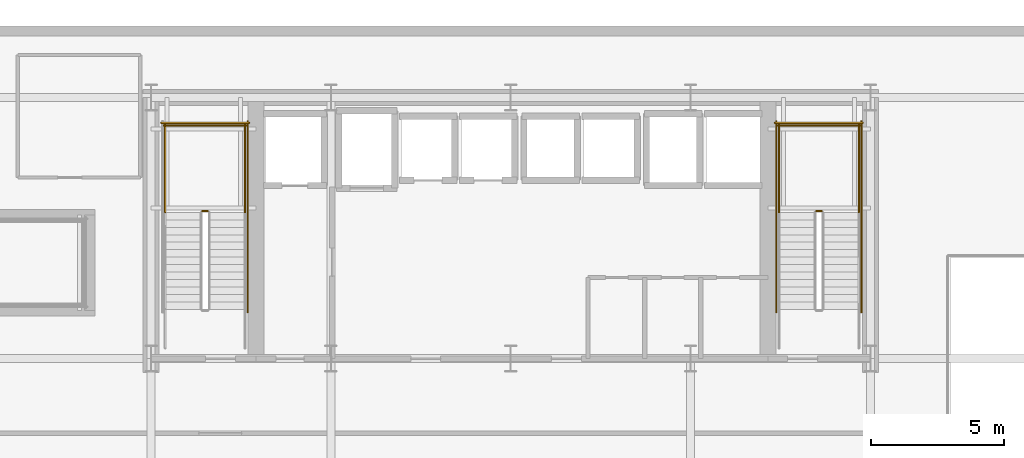
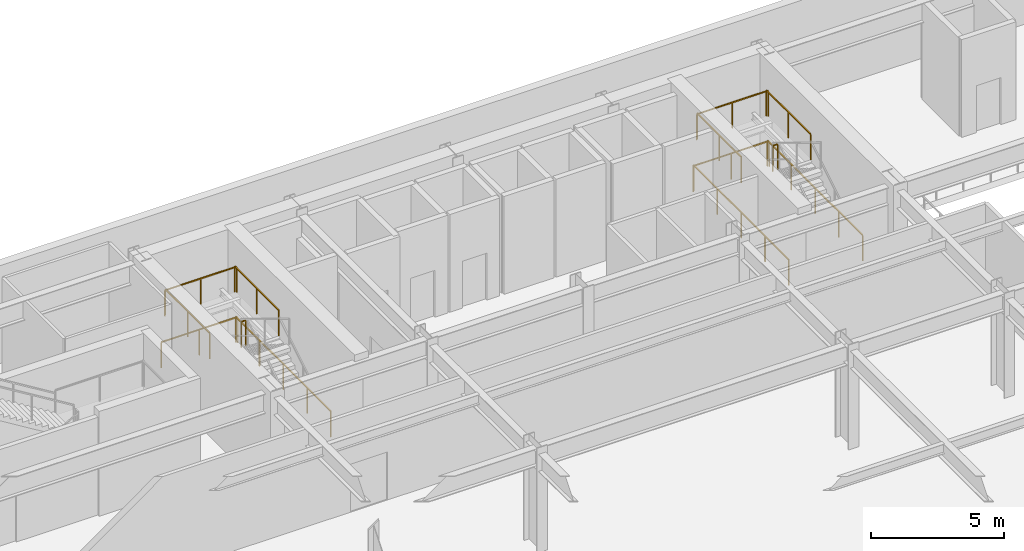
# One storey, part 26 of 30: 13 railings.
"""IFC4 building model written with IfcOpenShell, lengths in metres."""

from ifc_helpers import new_model, si_unit, direction, frame, origin, origin_2d, place, context, subcontext, project, spatial, rectangle, extrude, material, type_object, element, save


model = new_model("IFC4")

# Units and contexts
model_context = context("Model", 3, precision=1e-05, world=origin(), true_north=direction((0.0, 1.0)))
body_context = subcontext(model_context, "Body", "Model", "MODEL_VIEW")
ifc_project = project(units=[si_unit("LENGTHUNIT", "METRE"), si_unit("AREAUNIT", "SQUARE_METRE"), si_unit("VOLUMEUNIT", "CUBIC_METRE"), si_unit("PLANEANGLEUNIT", "RADIAN"), si_unit("MASSUNIT", "GRAM", prefix="KILO")], contexts=[model_context])

# Site, building, storey
site_placement = place(None, origin())
site = spatial("IfcSite", under=ifc_project, at=site_placement, CompositionType="ELEMENT")
building_placement = place(site_placement, origin())
building = spatial("IfcBuilding", under=site, at=building_placement, Name="Haevon Station Towers", CompositionType="ELEMENT")
storey_placement = place(building_placement, frame((0.0, 0.0, 15.60009765625)))
storey = spatial("IfcBuildingStorey", under=building, at=storey_placement, Name="L03", CompositionType="ELEMENT", Elevation=15.60009765625)

# Railings
ifc_material = material(Name="Steel S355", Category="steel")
railing_type = type_object("IfcRailingType", Name="GRD-STR1200", PredefinedType="GUARDRAIL", material=ifc_material)
railing_1_placement = place(storey_placement, frame((26.1298828125, 43.739990234375, 2.39990234375)))
element("IfcRailing", 1, at=railing_1_placement, inside=storey, type_object=railing_type, Name="L03 ST1 Stair Guard 2", PredefinedType="GUARDRAIL", context=body_context, shape_type="SweptSolid", body=[
    extrude(rectangle(XDim=0.048095703125, YDim=0.048095703125, at=origin_2d()), frame((0.0, 0.0, 1.17578125), z_axis=(-1.0, 0.0, 0.0), x_axis=(0.0, -1.0, 0.0)), (0.0, 0.0, 1.0), 0.199951171875),
    extrude(rectangle(XDim=0.0419921875, YDim=0.0419921875, at=origin_2d()), origin(), (0.0, 0.0, 1.0), 1.15185546875),
    extrude(rectangle(XDim=0.0419921875, YDim=0.0419921875, at=origin_2d()), frame((-0.199951171875, 0.0, 0.0)), (0.0, 0.0, 1.0), 1.15185546875),
])
for number, where, name in (
    (2, (27.530029296875, 43.68994140625, 2.39990234375), "L03 ST1 Stair Guard 3"),
    (3, (24.530029296875, 43.68994140625, 2.39990234375), "L03 ST1 Stair Guard 4"),
):
    element("IfcRailing", number, at=place(storey_placement, frame(where)), inside=storey, type_object=railing_type, Name=name, PredefinedType="GUARDRAIL", context=body_context, shape_type="SweptSolid", body=[
        extrude(rectangle(XDim=0.048095703125, YDim=0.048095703125, at=origin_2d()), frame((0.0, 0.0, 1.17578125), z_axis=(0.0, 1.0, 0.0), x_axis=(-1.0, 0.0, 0.0)), (0.0, 0.0, 1.0), 3.31005859375),
        extrude(rectangle(XDim=0.0419921875, YDim=0.0419921875, at=origin_2d()), origin(), (0.0, 0.0, 1.0), 1.15185546875),
        extrude(rectangle(XDim=0.0419921875, YDim=0.0419921875, at=origin_2d()), frame((0.0, 1.655029296875, 0.0)), (0.0, 0.0, 1.0), 1.15185546875),
        extrude(rectangle(XDim=0.0419921875, YDim=0.0419921875, at=origin_2d()), frame((0.0, 3.31005859375, 0.0)), (0.0, 0.0, 1.0), 1.15185546875),
    ])
railing_2_placement = place(storey_placement, frame((27.580078125, 46.949951171875, 2.39990234375)))
element("IfcRailing", 4, at=railing_2_placement, inside=storey, type_object=railing_type, Name="L03 ST1 Stair Guard 5", PredefinedType="GUARDRAIL", context=body_context, shape_type="SweptSolid", body=[
    extrude(rectangle(XDim=0.048095703125, YDim=0.048095703125, at=origin_2d()), frame((0.0, 0.0, 1.17578125), z_axis=(-1.0, 0.0, 0.0), x_axis=(0.0, -1.0, 0.0)), (0.0, 0.0, 1.0), 3.10009765625),
    extrude(rectangle(XDim=0.0419921875, YDim=0.0419921875, at=origin_2d()), origin(), (0.0, 0.0, 1.0), 1.15185546875),
    extrude(rectangle(XDim=0.0419921875, YDim=0.0419921875, at=origin_2d()), frame((-1.550048828125, 0.0, 0.0)), (0.0, 0.0, 1.0), 1.15185546875),
    extrude(rectangle(XDim=0.0419921875, YDim=0.0419921875, at=origin_2d()), frame((-3.10009765625, 0.0, 0.0)), (0.0, 0.0, 1.0), 1.15185546875),
])
railing_3_placement = place(storey_placement, frame((27.6298828125, 39.949951171875, 0.0)))
element("IfcRailing", 5, at=railing_3_placement, inside=storey, type_object=railing_type, Name="L03 ST1 Stair Guard 10", PredefinedType="GUARDRAIL", context=body_context, shape_type="SweptSolid", body=[
    extrude(rectangle(XDim=0.048095703125, YDim=0.048095703125, at=origin_2d()), frame((0.0, 0.0, 1.17578125), z_axis=(0.0, 1.0, 0.0), x_axis=(-1.0, 0.0, 0.0)), (0.0, 0.0, 1.0), 7.150146484375),
    extrude(rectangle(XDim=0.0419921875, YDim=0.0419921875, at=origin_2d()), origin(), (0.0, 0.0, 1.0), 1.15185546875),
    extrude(rectangle(XDim=0.0419921875, YDim=0.0419921875, at=origin_2d()), frame((0.0, 1.78759765625, 0.0)), (0.0, 0.0, 1.0), 1.15185546875),
    extrude(rectangle(XDim=0.0419921875, YDim=0.0419921875, at=origin_2d()), frame((0.0, 3.5751953125, 0.0)), (0.0, 0.0, 1.0), 1.15185546875),
    extrude(rectangle(XDim=0.0419921875, YDim=0.0419921875, at=origin_2d()), frame((0.0, 5.362548828125, 0.0)), (0.0, 0.0, 1.0), 1.15185546875),
    extrude(rectangle(XDim=0.0419921875, YDim=0.0419921875, at=origin_2d()), frame((0.0, 7.150146484375, 0.0)), (0.0, 0.0, 1.0), 1.15185546875),
])
railing_4_placement = place(storey_placement, frame((27.679931640625, 47.050048828125, 0.0)))
element("IfcRailing", 6, at=railing_4_placement, inside=storey, type_object=railing_type, Name="L03 ST1 Stair Guard 12", PredefinedType="GUARDRAIL", context=body_context, shape_type="SweptSolid", body=[
    extrude(rectangle(XDim=0.048095703125, YDim=0.048095703125, at=origin_2d()), frame((0.0, 0.0, 1.17578125), z_axis=(-1.0, 0.0, 0.0), x_axis=(0.0, -1.0, 0.0)), (0.0, 0.0, 1.0), 3.300048828125),
    extrude(rectangle(XDim=0.0419921875, YDim=0.0419921875, at=origin_2d()), origin(), (0.0, 0.0, 1.0), 1.15185546875),
    extrude(rectangle(XDim=0.0419921875, YDim=0.0419921875, at=origin_2d()), frame((-1.64990234375, 0.0, 0.0)), (0.0, 0.0, 1.0), 1.15185546875),
    extrude(rectangle(XDim=0.0419921875, YDim=0.0419921875, at=origin_2d()), frame((-3.300048828125, 0.0, 0.0)), (0.0, 0.0, 1.0), 1.15185546875),
])
railing_5_placement = place(storey_placement, frame((49.169921875, 43.739990234375, 2.39990234375)))
element("IfcRailing", 7, at=railing_5_placement, inside=storey, type_object=railing_type, Name="L03 ST2 Stair Guard 2", PredefinedType="GUARDRAIL", context=body_context, shape_type="SweptSolid", body=[
    extrude(rectangle(XDim=0.048095703125, YDim=0.048095703125, at=origin_2d()), frame((0.0, 0.0, 1.17578125), z_axis=(-1.0, 0.0, 0.0), x_axis=(0.0, -1.0, 0.0)), (0.0, 0.0, 1.0), 0.199951171875),
    extrude(rectangle(XDim=0.0419921875, YDim=0.0419921875, at=origin_2d()), origin(), (0.0, 0.0, 1.0), 1.15185546875),
    extrude(rectangle(XDim=0.0419921875, YDim=0.0419921875, at=origin_2d()), frame((-0.199951171875, 0.0, 0.0)), (0.0, 0.0, 1.0), 1.15185546875),
])
for number, where, name in (
    (8, (50.570068359375, 43.68994140625, 2.39990234375), "L03 ST2 Stair Guard 3"),
    (9, (47.570068359375, 43.68994140625, 2.39990234375), "L03 ST2 Stair Guard 4"),
):
    element("IfcRailing", number, at=place(storey_placement, frame(where)), inside=storey, type_object=railing_type, Name=name, PredefinedType="GUARDRAIL", context=body_context, shape_type="SweptSolid", body=[
        extrude(rectangle(XDim=0.048095703125, YDim=0.048095703125, at=origin_2d()), frame((0.0, 0.0, 1.17578125), z_axis=(0.0, 1.0, 0.0), x_axis=(-1.0, 0.0, 0.0)), (0.0, 0.0, 1.0), 3.31005859375),
        extrude(rectangle(XDim=0.0419921875, YDim=0.0419921875, at=origin_2d()), origin(), (0.0, 0.0, 1.0), 1.15185546875),
        extrude(rectangle(XDim=0.0419921875, YDim=0.0419921875, at=origin_2d()), frame((0.0, 1.655029296875, 0.0)), (0.0, 0.0, 1.0), 1.15185546875),
        extrude(rectangle(XDim=0.0419921875, YDim=0.0419921875, at=origin_2d()), frame((0.0, 3.31005859375, 0.0)), (0.0, 0.0, 1.0), 1.15185546875),
    ])
railing_6_placement = place(storey_placement, frame((50.6201171875, 46.949951171875, 2.39990234375)))
element("IfcRailing", 10, at=railing_6_placement, inside=storey, type_object=railing_type, Name="L03 ST2 Stair Guard 5", PredefinedType="GUARDRAIL", context=body_context, shape_type="SweptSolid", body=[
    extrude(rectangle(XDim=0.048095703125, YDim=0.048095703125, at=origin_2d()), frame((0.0, 0.0, 1.17578125), z_axis=(-1.0, 0.0, 0.0), x_axis=(0.0, -1.0, 0.0)), (0.0, 0.0, 1.0), 3.10009765625),
    extrude(rectangle(XDim=0.0419921875, YDim=0.0419921875, at=origin_2d()), origin(), (0.0, 0.0, 1.0), 1.15185546875),
    extrude(rectangle(XDim=0.0419921875, YDim=0.0419921875, at=origin_2d()), frame((-1.550048828125, 0.0, 0.0)), (0.0, 0.0, 1.0), 1.15185546875),
    extrude(rectangle(XDim=0.0419921875, YDim=0.0419921875, at=origin_2d()), frame((-3.10009765625, 0.0, 0.0)), (0.0, 0.0, 1.0), 1.15185546875),
])
for number, where, name in (
    (11, (50.669921875, 39.949951171875, 0.0), "L03 ST2 Stair Guard 10"),
    (12, (47.469970703125, 39.949951171875, 0.0), "L03 ST2 Stair Guard 11"),
):
    element("IfcRailing", number, at=place(storey_placement, frame(where)), inside=storey, type_object=railing_type, Name=name, PredefinedType="GUARDRAIL", context=body_context, shape_type="SweptSolid", body=[
        extrude(rectangle(XDim=0.048095703125, YDim=0.048095703125, at=origin_2d()), frame((0.0, 0.0, 1.17578125), z_axis=(0.0, 1.0, 0.0), x_axis=(-1.0, 0.0, 0.0)), (0.0, 0.0, 1.0), 7.150146484375),
        extrude(rectangle(XDim=0.0419921875, YDim=0.0419921875, at=origin_2d()), origin(), (0.0, 0.0, 1.0), 1.15185546875),
        extrude(rectangle(XDim=0.0419921875, YDim=0.0419921875, at=origin_2d()), frame((0.0, 1.78759765625, 0.0)), (0.0, 0.0, 1.0), 1.15185546875),
        extrude(rectangle(XDim=0.0419921875, YDim=0.0419921875, at=origin_2d()), frame((0.0, 3.5751953125, 0.0)), (0.0, 0.0, 1.0), 1.15185546875),
        extrude(rectangle(XDim=0.0419921875, YDim=0.0419921875, at=origin_2d()), frame((0.0, 5.362548828125, 0.0)), (0.0, 0.0, 1.0), 1.15185546875),
        extrude(rectangle(XDim=0.0419921875, YDim=0.0419921875, at=origin_2d()), frame((0.0, 7.150146484375, 0.0)), (0.0, 0.0, 1.0), 1.15185546875),
    ])
railing_7_placement = place(storey_placement, frame((50.719970703125, 47.050048828125, 0.0)))
element("IfcRailing", 13, at=railing_7_placement, inside=storey, type_object=railing_type, Name="L03 ST2 Stair Guard 12", PredefinedType="GUARDRAIL", context=body_context, shape_type="SweptSolid", body=[
    extrude(rectangle(XDim=0.048095703125, YDim=0.048095703125, at=origin_2d()), frame((0.0, 0.0, 1.17578125), z_axis=(-1.0, 0.0, 0.0), x_axis=(0.0, -1.0, 0.0)), (0.0, 0.0, 1.0), 3.300048828125),
    extrude(rectangle(XDim=0.0419921875, YDim=0.0419921875, at=origin_2d()), origin(), (0.0, 0.0, 1.0), 1.15185546875),
    extrude(rectangle(XDim=0.0419921875, YDim=0.0419921875, at=origin_2d()), frame((-1.64990234375, 0.0, 0.0)), (0.0, 0.0, 1.0), 1.15185546875),
    extrude(rectangle(XDim=0.0419921875, YDim=0.0419921875, at=origin_2d()), frame((-3.300048828125, 0.0, 0.0)), (0.0, 0.0, 1.0), 1.15185546875),
])

save(model, "model.ifc")
